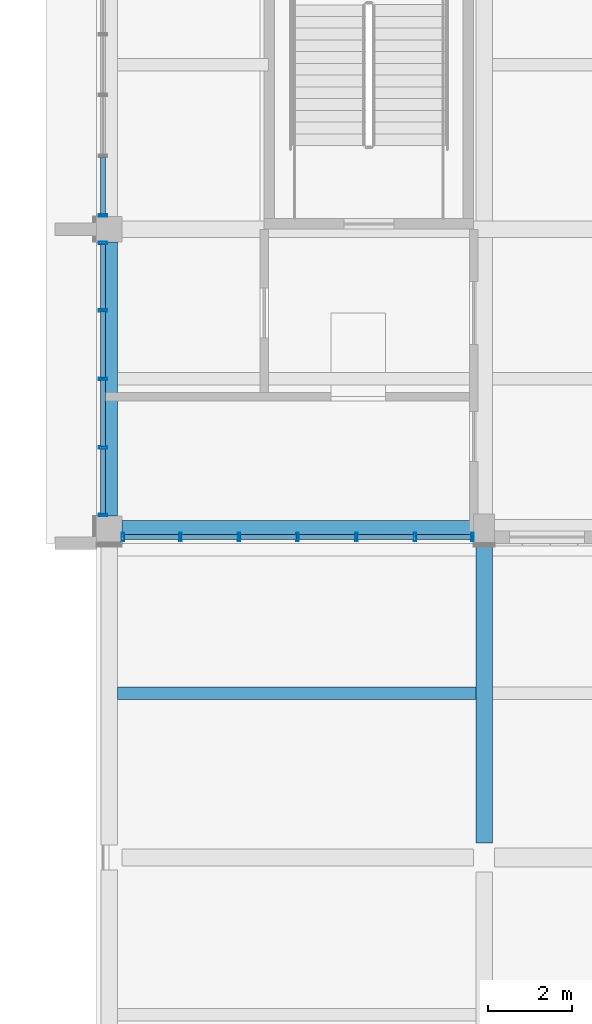
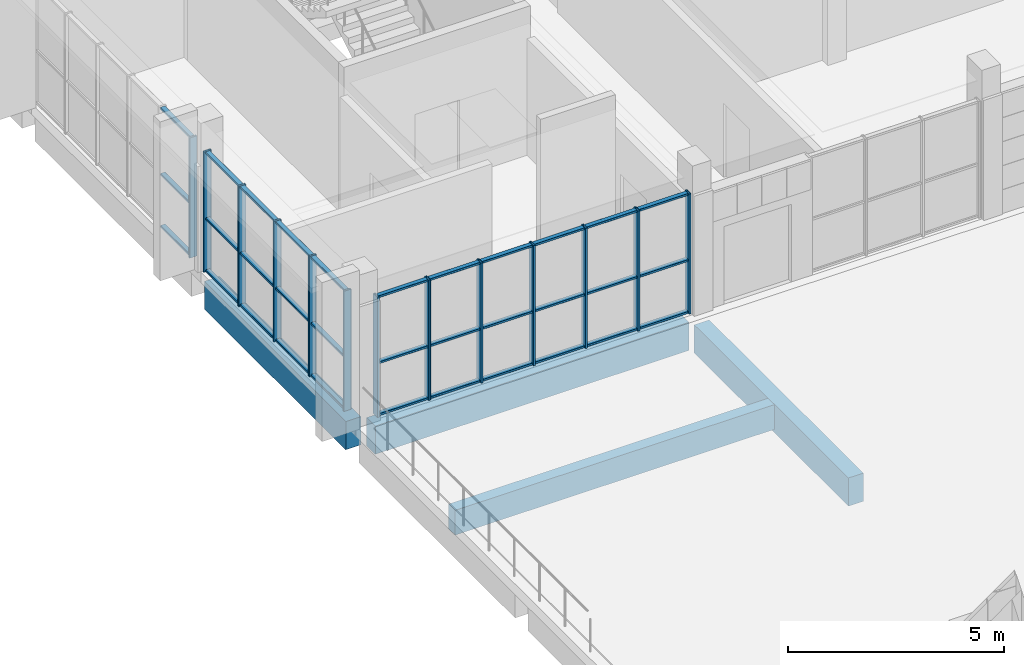
# One storey, part 7 of 42: 46 members, 4 beams, 3 elements without a shape of their own.
"""IFC4 building model written with IfcOpenShell, lengths in metres."""

from ifc_helpers import new_model, si_unit, direction, frame, origin, origin_2d, place, context, subcontext, project, spatial, rectangle, hollow_rectangle, extrude, material, material_profile, profile_set, type_object, element, aggregate, save


model = new_model("IFC4")

# Units and contexts
model_context = context("Model", 3, precision=1e-05, world=origin(), true_north=direction((0.0, 1.0)))
body_context = subcontext(model_context, "Body", "Model", "MODEL_VIEW")
ifc_project = project(units=[si_unit("LENGTHUNIT", "METRE"), si_unit("AREAUNIT", "SQUARE_METRE"), si_unit("VOLUMEUNIT", "CUBIC_METRE"), si_unit("PLANEANGLEUNIT", "RADIAN"), si_unit("MASSUNIT", "GRAM", prefix="KILO")], contexts=[model_context])

# Site, building, storey
site_placement = place(None, origin())
site = spatial("IfcSite", under=ifc_project, at=site_placement, CompositionType="ELEMENT")
building_placement = place(site_placement, origin())
building = spatial("IfcBuilding", under=site, at=building_placement, Name="Sun Court Science Centre", CompositionType="ELEMENT")
storey_placement = place(building_placement, frame((0.0, 0.0, 20.25)))
storey = spatial("IfcBuildingStorey", under=building, at=storey_placement, Name="L04", CompositionType="ELEMENT", Elevation=20.25)

# Curtain wall, members
ifc_material_1 = material(Name="Aluminium EN AW-6063 T6", Category="aluminium")
curtain_wall_type = type_object("IfcCurtainWallType", Name="Laboratory tall bay curtain wall 1500", PredefinedType="NOTDEFINED", material=ifc_material_1)
curtain_wall_1_placement = place(storey_placement, origin())
curtain_wall_1 = element("IfcCurtainWall", 1, at=curtain_wall_1_placement, inside=storey, type_object=curtain_wall_type, Name="Curtain wall V4 W L04 01", PredefinedType="NOTDEFINED")
ifc_material_2 = material(Name="Aluminium EN AW-6063 T6", Category="aluminium")
ifc_material_profile_1 = material_profile(ifc_material_2, hollow_rectangle(XDim=0.06005859375, YDim=0.199951171875, WallThickness=0.0048828125, InnerFilletRadius=0.0048828125, OuterFilletRadius=0.007568359375, at=origin_2d()), Name="AL 60x200x5")
ifc_profile_set_1 = profile_set([ifc_material_profile_1], Name="Aluminium EN AW-6063 T6")
member_type_1 = type_object("IfcMemberType", Name="Curtain wall mullion AL 60x200", PredefinedType="MULLION", material=ifc_profile_set_1)
member_1_placement = place(storey_placement, frame((78.14990234375, 29.179931640625, 0.0), z_axis=(0.0, 0.0, 1.0), x_axis=(0.0, 1.0, 0.0)))
member_1 = element("IfcMember", 2, at=member_1_placement, type_object=member_type_1, Name="CW2-37 mullion 1", PredefinedType="MULLION", context=body_context, shape_type="SweptSolid", body=[
    extrude(hollow_rectangle(XDim=0.06005859375, YDim=0.199951171875, WallThickness=0.0048828125, InnerFilletRadius=0.0048828125, OuterFilletRadius=0.007568359375, at=origin_2d()), origin(), (0.0, 0.0, 1.0), 3.39990234375),
])
member_2_placement = place(storey_placement, frame((78.14990234375, 30.78759765625, 0.0), z_axis=(0.0, 0.0, 1.0), x_axis=(0.0, 1.0, 0.0)))
member_2 = element("IfcMember", 3, at=member_2_placement, type_object=member_type_1, Name="CW2-37 mullion 2", PredefinedType="MULLION", context=body_context, shape_type="SweptSolid", body=[
    extrude(hollow_rectangle(XDim=0.06005859375, YDim=0.199951171875, WallThickness=0.0048828125, InnerFilletRadius=0.0048828125, OuterFilletRadius=0.007568359375, at=origin_2d()), origin(), (0.0, 0.0, 1.0), 3.39990234375),
])
member_3_placement = place(storey_placement, frame((78.14990234375, 32.425048828125, 0.0), z_axis=(0.0, 0.0, 1.0), x_axis=(0.0, 1.0, 0.0)))
member_3 = element("IfcMember", 4, at=member_3_placement, type_object=member_type_1, Name="CW2-37 mullion 3", PredefinedType="MULLION", context=body_context, shape_type="SweptSolid", body=[
    extrude(hollow_rectangle(XDim=0.06005859375, YDim=0.199951171875, WallThickness=0.0048828125, InnerFilletRadius=0.0048828125, OuterFilletRadius=0.007568359375, at=origin_2d()), origin(), (0.0, 0.0, 1.0), 3.39990234375),
])
member_4_placement = place(storey_placement, frame((78.14990234375, 34.0625, 0.0), z_axis=(0.0, 0.0, 1.0), x_axis=(0.0, 1.0, 0.0)))
member_4 = element("IfcMember", 5, at=member_4_placement, type_object=member_type_1, Name="CW2-37 mullion 4", PredefinedType="MULLION", context=body_context, shape_type="SweptSolid", body=[
    extrude(hollow_rectangle(XDim=0.06005859375, YDim=0.199951171875, WallThickness=0.0048828125, InnerFilletRadius=0.0048828125, OuterFilletRadius=0.007568359375, at=origin_2d()), origin(), (0.0, 0.0, 1.0), 3.39990234375),
])
member_5_placement = place(storey_placement, frame((78.14990234375, 35.669921875, 0.0), z_axis=(0.0, 0.0, 1.0), x_axis=(0.0, 1.0, 0.0)))
member_5 = element("IfcMember", 6, at=member_5_placement, type_object=member_type_1, Name="CW2-37 mullion 5", PredefinedType="MULLION", context=body_context, shape_type="SweptSolid", body=[
    extrude(hollow_rectangle(XDim=0.06005859375, YDim=0.199951171875, WallThickness=0.0048828125, InnerFilletRadius=0.0048828125, OuterFilletRadius=0.007568359375, at=origin_2d()), origin(), (0.0, 0.0, 1.0), 3.39990234375),
])

# Curtain wall, member
curtain_wall_2_placement = place(storey_placement, origin())
curtain_wall_2 = element("IfcCurtainWall", 7, at=curtain_wall_2_placement, inside=storey, type_object=curtain_wall_type, Name="Curtain wall V4 W L04 02", PredefinedType="NOTDEFINED")
member_6_placement = place(storey_placement, frame((78.14990234375, 36.330078125, 0.0), z_axis=(0.0, 0.0, 1.0), x_axis=(0.0, 1.0, 0.0)))
member_6 = element("IfcMember", 8, at=member_6_placement, type_object=member_type_1, Name="CW2-38 mullion 1", PredefinedType="MULLION", context=body_context, shape_type="SweptSolid", body=[
    extrude(hollow_rectangle(XDim=0.06005859375, YDim=0.199951171875, WallThickness=0.0048828125, InnerFilletRadius=0.0048828125, OuterFilletRadius=0.007568359375, at=origin_2d()), origin(), (0.0, 0.0, 1.0), 3.39990234375),
])

# Curtain wall, members
curtain_wall_3_placement = place(storey_placement, origin())
curtain_wall_3 = element("IfcCurtainWall", 9, at=curtain_wall_3_placement, inside=storey, type_object=curtain_wall_type, Name="Curtain wall V4 S4 L04 03", PredefinedType="NOTDEFINED")
member_7_placement = place(storey_placement, frame((78.6298828125, 28.64990234375, 0.0), z_axis=(0.0, 0.0, 1.0), x_axis=(-1.0, 0.0, 0.0)))
member_7 = element("IfcMember", 10, at=member_7_placement, type_object=member_type_1, Name="CW2-57 mullion 7", PredefinedType="MULLION", context=body_context, shape_type="SweptSolid", body=[
    extrude(hollow_rectangle(XDim=0.06005859375, YDim=0.199951171875, WallThickness=0.0048828125, InnerFilletRadius=0.0048828125, OuterFilletRadius=0.007568359375, at=origin_2d()), origin(), (0.0, 0.0, 1.0), 3.39990234375),
])
member_8_placement = place(storey_placement, frame((80.0, 28.64990234375, 0.0), z_axis=(0.0, 0.0, 1.0), x_axis=(-1.0, 0.0, 0.0)))
member_8 = element("IfcMember", 11, at=member_8_placement, type_object=member_type_1, Name="CW2-57 mullion 6", PredefinedType="MULLION", context=body_context, shape_type="SweptSolid", body=[
    extrude(hollow_rectangle(XDim=0.06005859375, YDim=0.199951171875, WallThickness=0.0048828125, InnerFilletRadius=0.0048828125, OuterFilletRadius=0.007568359375, at=origin_2d()), origin(), (0.0, 0.0, 1.0), 3.39990234375),
])
member_9_placement = place(storey_placement, frame((81.39990234375, 28.64990234375, 0.0), z_axis=(0.0, 0.0, 1.0), x_axis=(-1.0, 0.0, 0.0)))
member_9 = element("IfcMember", 12, at=member_9_placement, type_object=member_type_1, Name="CW2-57 mullion 5", PredefinedType="MULLION", context=body_context, shape_type="SweptSolid", body=[
    extrude(hollow_rectangle(XDim=0.06005859375, YDim=0.199951171875, WallThickness=0.0048828125, InnerFilletRadius=0.0048828125, OuterFilletRadius=0.007568359375, at=origin_2d()), origin(), (0.0, 0.0, 1.0), 3.39990234375),
])
member_10_placement = place(storey_placement, frame((82.800048828125, 28.64990234375, 0.0), z_axis=(0.0, 0.0, 1.0), x_axis=(-1.0, 0.0, 0.0)))
member_10 = element("IfcMember", 13, at=member_10_placement, type_object=member_type_1, Name="CW2-57 mullion 4", PredefinedType="MULLION", context=body_context, shape_type="SweptSolid", body=[
    extrude(hollow_rectangle(XDim=0.06005859375, YDim=0.199951171875, WallThickness=0.0048828125, InnerFilletRadius=0.0048828125, OuterFilletRadius=0.007568359375, at=origin_2d()), origin(), (0.0, 0.0, 1.0), 3.39990234375),
])
member_11_placement = place(storey_placement, frame((84.199951171875, 28.64990234375, 0.0), z_axis=(0.0, 0.0, 1.0), x_axis=(-1.0, 0.0, 0.0)))
member_11 = element("IfcMember", 14, at=member_11_placement, type_object=member_type_1, Name="CW2-57 mullion 3", PredefinedType="MULLION", context=body_context, shape_type="SweptSolid", body=[
    extrude(hollow_rectangle(XDim=0.06005859375, YDim=0.199951171875, WallThickness=0.0048828125, InnerFilletRadius=0.0048828125, OuterFilletRadius=0.007568359375, at=origin_2d()), origin(), (0.0, 0.0, 1.0), 3.39990234375),
])
member_12_placement = place(storey_placement, frame((85.60009765625, 28.64990234375, 0.0), z_axis=(0.0, 0.0, 1.0), x_axis=(-1.0, 0.0, 0.0)))
member_12 = element("IfcMember", 15, at=member_12_placement, type_object=member_type_1, Name="CW2-57 mullion 2", PredefinedType="MULLION", context=body_context, shape_type="SweptSolid", body=[
    extrude(hollow_rectangle(XDim=0.06005859375, YDim=0.199951171875, WallThickness=0.0048828125, InnerFilletRadius=0.0048828125, OuterFilletRadius=0.007568359375, at=origin_2d()), origin(), (0.0, 0.0, 1.0), 3.39990234375),
])
member_13_placement = place(storey_placement, frame((86.969970703125, 28.64990234375, 0.0), z_axis=(0.0, 0.0, 1.0), x_axis=(-1.0, 0.0, 0.0)))
member_13 = element("IfcMember", 16, at=member_13_placement, type_object=member_type_1, Name="CW2-57 mullion 1", PredefinedType="MULLION", context=body_context, shape_type="SweptSolid", body=[
    extrude(hollow_rectangle(XDim=0.06005859375, YDim=0.199951171875, WallThickness=0.0048828125, InnerFilletRadius=0.0048828125, OuterFilletRadius=0.007568359375, at=origin_2d()), origin(), (0.0, 0.0, 1.0), 3.39990234375),
])

# Member
ifc_material_3 = material(Name="Aluminium EN AW-6063 T6", Category="aluminium")
ifc_material_profile_2 = material_profile(ifc_material_3, hollow_rectangle(XDim=0.06005859375, YDim=0.1201171875, WallThickness=0.00390625, InnerFilletRadius=0.00390625, OuterFilletRadius=0.006103515625, at=origin_2d()), Name="AL 60x120x4")
ifc_profile_set_2 = profile_set([ifc_material_profile_2], Name="Aluminium EN AW-6063 T6")
member_type_2 = type_object("IfcMemberType", Name="Curtain wall transom AL 60x120", PredefinedType="USERDEFINED", material=ifc_profile_set_2)
member_14_placement = place(storey_placement, frame((78.14990234375, 29.2099609375, 0.030029296875), z_axis=(0.0, 1.0, 0.0), x_axis=(0.0, 0.0, 1.0)))
member_14 = element("IfcMember", 17, at=member_14_placement, type_object=member_type_2, Name="CW2-37 transom 1.1", ObjectType="TRANSOM", PredefinedType="USERDEFINED", context=body_context, shape_type="SweptSolid", body=[
    extrude(hollow_rectangle(XDim=0.06005859375, YDim=0.1201171875, WallThickness=0.00390625, InnerFilletRadius=0.00390625, OuterFilletRadius=0.006103515625, at=origin_2d()), origin(), (0.0, 0.0, 1.0), 1.547607421875),
])

member_15_placement = place(storey_placement, frame((78.14990234375, 30.8173828125, 0.030029296875), z_axis=(0.0, 1.0, 0.0), x_axis=(0.0, 0.0, 1.0)))
member_15 = element("IfcMember", 18, at=member_15_placement, type_object=member_type_2, Name="CW2-37 transom 2.1", ObjectType="TRANSOM", PredefinedType="USERDEFINED", context=body_context, shape_type="SweptSolid", body=[
    extrude(hollow_rectangle(XDim=0.06005859375, YDim=0.1201171875, WallThickness=0.00390625, InnerFilletRadius=0.00390625, OuterFilletRadius=0.006103515625, at=origin_2d()), origin(), (0.0, 0.0, 1.0), 1.57763671875),
])

member_16_placement = place(storey_placement, frame((78.14990234375, 32.455078125, 0.030029296875), z_axis=(0.0, 1.0, 0.0), x_axis=(0.0, 0.0, 1.0)))
member_16 = element("IfcMember", 19, at=member_16_placement, type_object=member_type_2, Name="CW2-37 transom 3.1", ObjectType="TRANSOM", PredefinedType="USERDEFINED", context=body_context, shape_type="SweptSolid", body=[
    extrude(hollow_rectangle(XDim=0.06005859375, YDim=0.1201171875, WallThickness=0.00390625, InnerFilletRadius=0.00390625, OuterFilletRadius=0.006103515625, at=origin_2d()), origin(), (0.0, 0.0, 1.0), 1.577392578125),
])

member_17_placement = place(storey_placement, frame((78.14990234375, 34.092529296875, 0.030029296875), z_axis=(0.0, 1.0, 0.0), x_axis=(0.0, 0.0, 1.0)))
member_17 = element("IfcMember", 20, at=member_17_placement, type_object=member_type_2, Name="CW2-37 transom 4.1", ObjectType="TRANSOM", PredefinedType="USERDEFINED", context=body_context, shape_type="SweptSolid", body=[
    extrude(hollow_rectangle(XDim=0.06005859375, YDim=0.1201171875, WallThickness=0.00390625, InnerFilletRadius=0.00390625, OuterFilletRadius=0.006103515625, at=origin_2d()), origin(), (0.0, 0.0, 1.0), 1.54736328125),
])

member_18_placement = place(storey_placement, frame((78.14990234375, 29.2099609375, 1.5), z_axis=(0.0, 1.0, 0.0), x_axis=(0.0, 0.0, 1.0)))
member_18 = element("IfcMember", 21, at=member_18_placement, type_object=member_type_2, Name="CW2-37 transom 1.2", ObjectType="TRANSOM", PredefinedType="USERDEFINED", context=body_context, shape_type="SweptSolid", body=[
    extrude(hollow_rectangle(XDim=0.06005859375, YDim=0.1201171875, WallThickness=0.00390625, InnerFilletRadius=0.00390625, OuterFilletRadius=0.006103515625, at=origin_2d()), origin(), (0.0, 0.0, 1.0), 1.547607421875),
])

member_19_placement = place(storey_placement, frame((78.14990234375, 30.8173828125, 1.5), z_axis=(0.0, 1.0, 0.0), x_axis=(0.0, 0.0, 1.0)))
member_19 = element("IfcMember", 22, at=member_19_placement, type_object=member_type_2, Name="CW2-37 transom 2.2", ObjectType="TRANSOM", PredefinedType="USERDEFINED", context=body_context, shape_type="SweptSolid", body=[
    extrude(hollow_rectangle(XDim=0.06005859375, YDim=0.1201171875, WallThickness=0.00390625, InnerFilletRadius=0.00390625, OuterFilletRadius=0.006103515625, at=origin_2d()), origin(), (0.0, 0.0, 1.0), 1.57763671875),
])

member_20_placement = place(storey_placement, frame((78.14990234375, 32.455078125, 1.5), z_axis=(0.0, 1.0, 0.0), x_axis=(0.0, 0.0, 1.0)))
member_20 = element("IfcMember", 23, at=member_20_placement, type_object=member_type_2, Name="CW2-37 transom 3.2", ObjectType="TRANSOM", PredefinedType="USERDEFINED", context=body_context, shape_type="SweptSolid", body=[
    extrude(hollow_rectangle(XDim=0.06005859375, YDim=0.1201171875, WallThickness=0.00390625, InnerFilletRadius=0.00390625, OuterFilletRadius=0.006103515625, at=origin_2d()), origin(), (0.0, 0.0, 1.0), 1.577392578125),
])

member_21_placement = place(storey_placement, frame((78.14990234375, 34.092529296875, 1.5), z_axis=(0.0, 1.0, 0.0), x_axis=(0.0, 0.0, 1.0)))
member_21 = element("IfcMember", 24, at=member_21_placement, type_object=member_type_2, Name="CW2-37 transom 4.2", ObjectType="TRANSOM", PredefinedType="USERDEFINED", context=body_context, shape_type="SweptSolid", body=[
    extrude(hollow_rectangle(XDim=0.06005859375, YDim=0.1201171875, WallThickness=0.00390625, InnerFilletRadius=0.00390625, OuterFilletRadius=0.006103515625, at=origin_2d()), origin(), (0.0, 0.0, 1.0), 1.54736328125),
])

member_22_placement = place(storey_placement, frame((78.14990234375, 29.2099609375, 3.3701171875), z_axis=(0.0, 1.0, 0.0), x_axis=(0.0, 0.0, 1.0)))
member_22 = element("IfcMember", 25, at=member_22_placement, type_object=member_type_2, Name="CW2-37 transom 1.3", ObjectType="TRANSOM", PredefinedType="USERDEFINED", context=body_context, shape_type="SweptSolid", body=[
    extrude(hollow_rectangle(XDim=0.06005859375, YDim=0.1201171875, WallThickness=0.00390625, InnerFilletRadius=0.00390625, OuterFilletRadius=0.006103515625, at=origin_2d()), origin(), (0.0, 0.0, 1.0), 1.547607421875),
])

member_23_placement = place(storey_placement, frame((78.14990234375, 30.8173828125, 3.3701171875), z_axis=(0.0, 1.0, 0.0), x_axis=(0.0, 0.0, 1.0)))
member_23 = element("IfcMember", 26, at=member_23_placement, type_object=member_type_2, Name="CW2-37 transom 2.3", ObjectType="TRANSOM", PredefinedType="USERDEFINED", context=body_context, shape_type="SweptSolid", body=[
    extrude(hollow_rectangle(XDim=0.06005859375, YDim=0.1201171875, WallThickness=0.00390625, InnerFilletRadius=0.00390625, OuterFilletRadius=0.006103515625, at=origin_2d()), origin(), (0.0, 0.0, 1.0), 1.57763671875),
])

member_24_placement = place(storey_placement, frame((78.14990234375, 32.455078125, 3.3701171875), z_axis=(0.0, 1.0, 0.0), x_axis=(0.0, 0.0, 1.0)))
member_24 = element("IfcMember", 27, at=member_24_placement, type_object=member_type_2, Name="CW2-37 transom 3.3", ObjectType="TRANSOM", PredefinedType="USERDEFINED", context=body_context, shape_type="SweptSolid", body=[
    extrude(hollow_rectangle(XDim=0.06005859375, YDim=0.1201171875, WallThickness=0.00390625, InnerFilletRadius=0.00390625, OuterFilletRadius=0.006103515625, at=origin_2d()), origin(), (0.0, 0.0, 1.0), 1.577392578125),
])

member_25_placement = place(storey_placement, frame((78.14990234375, 34.092529296875, 3.3701171875), z_axis=(0.0, 1.0, 0.0), x_axis=(0.0, 0.0, 1.0)))
member_25 = element("IfcMember", 28, at=member_25_placement, type_object=member_type_2, Name="CW2-37 transom 4.3", ObjectType="TRANSOM", PredefinedType="USERDEFINED", context=body_context, shape_type="SweptSolid", body=[
    extrude(hollow_rectangle(XDim=0.06005859375, YDim=0.1201171875, WallThickness=0.00390625, InnerFilletRadius=0.00390625, OuterFilletRadius=0.006103515625, at=origin_2d()), origin(), (0.0, 0.0, 1.0), 1.54736328125),
])

aggregate(curtain_wall_1, [member_1, member_2, member_3, member_4, member_5, member_14, member_15, member_16, member_17, member_18, member_19, member_20, member_21, member_22, member_23, member_24, member_25])

member_26_placement = place(storey_placement, frame((78.14990234375, 36.360107421875, 0.030029296875), z_axis=(0.0, 1.0, 0.0), x_axis=(0.0, 0.0, 1.0)))
member_26 = element("IfcMember", 29, at=member_26_placement, type_object=member_type_2, Name="CW2-38 transom 1.1", ObjectType="TRANSOM", PredefinedType="USERDEFINED", context=body_context, shape_type="SweptSolid", body=[
    extrude(hollow_rectangle(XDim=0.06005859375, YDim=0.1201171875, WallThickness=0.00390625, InnerFilletRadius=0.00390625, OuterFilletRadius=0.006103515625, at=origin_2d()), origin(), (0.0, 0.0, 1.0), 1.35986328125),
])

member_27_placement = place(storey_placement, frame((78.14990234375, 36.360107421875, 1.5), z_axis=(0.0, 1.0, 0.0), x_axis=(0.0, 0.0, 1.0)))
member_27 = element("IfcMember", 30, at=member_27_placement, type_object=member_type_2, Name="CW2-38 transom 1.2", ObjectType="TRANSOM", PredefinedType="USERDEFINED", context=body_context, shape_type="SweptSolid", body=[
    extrude(hollow_rectangle(XDim=0.06005859375, YDim=0.1201171875, WallThickness=0.00390625, InnerFilletRadius=0.00390625, OuterFilletRadius=0.006103515625, at=origin_2d()), origin(), (0.0, 0.0, 1.0), 1.35986328125),
])

member_28_placement = place(storey_placement, frame((78.14990234375, 36.360107421875, 3.3701171875), z_axis=(0.0, 1.0, 0.0), x_axis=(0.0, 0.0, 1.0)))
member_28 = element("IfcMember", 31, at=member_28_placement, type_object=member_type_2, Name="CW2-38 transom 1.3", ObjectType="TRANSOM", PredefinedType="USERDEFINED", context=body_context, shape_type="SweptSolid", body=[
    extrude(hollow_rectangle(XDim=0.06005859375, YDim=0.1201171875, WallThickness=0.00390625, InnerFilletRadius=0.00390625, OuterFilletRadius=0.006103515625, at=origin_2d()), origin(), (0.0, 0.0, 1.0), 1.35986328125),
])

aggregate(curtain_wall_2, [member_6, member_26, member_27, member_28])

member_29_placement = place(storey_placement, frame((79.969970703125, 28.64990234375, 0.030029296875), z_axis=(-1.0, 0.0, 0.0), x_axis=(0.0, 0.0, 1.0)))
member_29 = element("IfcMember", 32, at=member_29_placement, type_object=member_type_2, Name="CW2-57 transom 6.1", ObjectType="TRANSOM", PredefinedType="USERDEFINED", context=body_context, shape_type="SweptSolid", body=[
    extrude(hollow_rectangle(XDim=0.06005859375, YDim=0.1201171875, WallThickness=0.00390625, InnerFilletRadius=0.00390625, OuterFilletRadius=0.006103515625, at=origin_2d()), origin(), (0.0, 0.0, 1.0), 1.31005859375),
])

member_30_placement = place(storey_placement, frame((81.3701171875, 28.64990234375, 0.030029296875), z_axis=(-1.0, 0.0, 0.0), x_axis=(0.0, 0.0, 1.0)))
member_30 = element("IfcMember", 33, at=member_30_placement, type_object=member_type_2, Name="CW2-57 transom 5.1", ObjectType="TRANSOM", PredefinedType="USERDEFINED", context=body_context, shape_type="SweptSolid", body=[
    extrude(hollow_rectangle(XDim=0.06005859375, YDim=0.1201171875, WallThickness=0.00390625, InnerFilletRadius=0.00390625, OuterFilletRadius=0.006103515625, at=origin_2d()), origin(), (0.0, 0.0, 1.0), 1.340087890625),
])

member_31_placement = place(storey_placement, frame((82.77001953125, 28.64990234375, 0.030029296875), z_axis=(-1.0, 0.0, 0.0), x_axis=(0.0, 0.0, 1.0)))
member_31 = element("IfcMember", 34, at=member_31_placement, type_object=member_type_2, Name="CW2-57 transom 4.1", ObjectType="TRANSOM", PredefinedType="USERDEFINED", context=body_context, shape_type="SweptSolid", body=[
    extrude(hollow_rectangle(XDim=0.06005859375, YDim=0.1201171875, WallThickness=0.00390625, InnerFilletRadius=0.00390625, OuterFilletRadius=0.006103515625, at=origin_2d()), origin(), (0.0, 0.0, 1.0), 1.340087890625),
])

member_32_placement = place(storey_placement, frame((84.169921875, 28.64990234375, 0.030029296875), z_axis=(-1.0, 0.0, 0.0), x_axis=(0.0, 0.0, 1.0)))
member_32 = element("IfcMember", 35, at=member_32_placement, type_object=member_type_2, Name="CW2-57 transom 3.1", ObjectType="TRANSOM", PredefinedType="USERDEFINED", context=body_context, shape_type="SweptSolid", body=[
    extrude(hollow_rectangle(XDim=0.06005859375, YDim=0.1201171875, WallThickness=0.00390625, InnerFilletRadius=0.00390625, OuterFilletRadius=0.006103515625, at=origin_2d()), origin(), (0.0, 0.0, 1.0), 1.33984375),
])

member_33_placement = place(storey_placement, frame((85.570068359375, 28.64990234375, 0.030029296875), z_axis=(-1.0, 0.0, 0.0), x_axis=(0.0, 0.0, 1.0)))
member_33 = element("IfcMember", 36, at=member_33_placement, type_object=member_type_2, Name="CW2-57 transom 2.1", ObjectType="TRANSOM", PredefinedType="USERDEFINED", context=body_context, shape_type="SweptSolid", body=[
    extrude(hollow_rectangle(XDim=0.06005859375, YDim=0.1201171875, WallThickness=0.00390625, InnerFilletRadius=0.00390625, OuterFilletRadius=0.006103515625, at=origin_2d()), origin(), (0.0, 0.0, 1.0), 1.340087890625),
])

member_34_placement = place(storey_placement, frame((86.93994140625, 28.64990234375, 0.030029296875), z_axis=(-1.0, 0.0, 0.0), x_axis=(0.0, 0.0, 1.0)))
member_34 = element("IfcMember", 37, at=member_34_placement, type_object=member_type_2, Name="CW2-57 transom 1.1", ObjectType="TRANSOM", PredefinedType="USERDEFINED", context=body_context, shape_type="SweptSolid", body=[
    extrude(hollow_rectangle(XDim=0.06005859375, YDim=0.1201171875, WallThickness=0.00390625, InnerFilletRadius=0.00390625, OuterFilletRadius=0.006103515625, at=origin_2d()), origin(), (0.0, 0.0, 1.0), 1.31005859375),
])

member_35_placement = place(storey_placement, frame((79.969970703125, 28.64990234375, 1.5), z_axis=(-1.0, 0.0, 0.0), x_axis=(0.0, 0.0, 1.0)))
member_35 = element("IfcMember", 38, at=member_35_placement, type_object=member_type_2, Name="CW2-57 transom 6.2", ObjectType="TRANSOM", PredefinedType="USERDEFINED", context=body_context, shape_type="SweptSolid", body=[
    extrude(hollow_rectangle(XDim=0.06005859375, YDim=0.1201171875, WallThickness=0.00390625, InnerFilletRadius=0.00390625, OuterFilletRadius=0.006103515625, at=origin_2d()), origin(), (0.0, 0.0, 1.0), 1.31005859375),
])

member_36_placement = place(storey_placement, frame((81.3701171875, 28.64990234375, 1.5), z_axis=(-1.0, 0.0, 0.0), x_axis=(0.0, 0.0, 1.0)))
member_36 = element("IfcMember", 39, at=member_36_placement, type_object=member_type_2, Name="CW2-57 transom 5.2", ObjectType="TRANSOM", PredefinedType="USERDEFINED", context=body_context, shape_type="SweptSolid", body=[
    extrude(hollow_rectangle(XDim=0.06005859375, YDim=0.1201171875, WallThickness=0.00390625, InnerFilletRadius=0.00390625, OuterFilletRadius=0.006103515625, at=origin_2d()), origin(), (0.0, 0.0, 1.0), 1.340087890625),
])

member_37_placement = place(storey_placement, frame((82.77001953125, 28.64990234375, 1.5), z_axis=(-1.0, 0.0, 0.0), x_axis=(0.0, 0.0, 1.0)))
member_37 = element("IfcMember", 40, at=member_37_placement, type_object=member_type_2, Name="CW2-57 transom 4.2", ObjectType="TRANSOM", PredefinedType="USERDEFINED", context=body_context, shape_type="SweptSolid", body=[
    extrude(hollow_rectangle(XDim=0.06005859375, YDim=0.1201171875, WallThickness=0.00390625, InnerFilletRadius=0.00390625, OuterFilletRadius=0.006103515625, at=origin_2d()), origin(), (0.0, 0.0, 1.0), 1.340087890625),
])

member_38_placement = place(storey_placement, frame((84.169921875, 28.64990234375, 1.5), z_axis=(-1.0, 0.0, 0.0), x_axis=(0.0, 0.0, 1.0)))
member_38 = element("IfcMember", 41, at=member_38_placement, type_object=member_type_2, Name="CW2-57 transom 3.2", ObjectType="TRANSOM", PredefinedType="USERDEFINED", context=body_context, shape_type="SweptSolid", body=[
    extrude(hollow_rectangle(XDim=0.06005859375, YDim=0.1201171875, WallThickness=0.00390625, InnerFilletRadius=0.00390625, OuterFilletRadius=0.006103515625, at=origin_2d()), origin(), (0.0, 0.0, 1.0), 1.33984375),
])

member_39_placement = place(storey_placement, frame((85.570068359375, 28.64990234375, 1.5), z_axis=(-1.0, 0.0, 0.0), x_axis=(0.0, 0.0, 1.0)))
member_39 = element("IfcMember", 42, at=member_39_placement, type_object=member_type_2, Name="CW2-57 transom 2.2", ObjectType="TRANSOM", PredefinedType="USERDEFINED", context=body_context, shape_type="SweptSolid", body=[
    extrude(hollow_rectangle(XDim=0.06005859375, YDim=0.1201171875, WallThickness=0.00390625, InnerFilletRadius=0.00390625, OuterFilletRadius=0.006103515625, at=origin_2d()), origin(), (0.0, 0.0, 1.0), 1.340087890625),
])

member_40_placement = place(storey_placement, frame((86.93994140625, 28.64990234375, 1.5), z_axis=(-1.0, 0.0, 0.0), x_axis=(0.0, 0.0, 1.0)))
member_40 = element("IfcMember", 43, at=member_40_placement, type_object=member_type_2, Name="CW2-57 transom 1.2", ObjectType="TRANSOM", PredefinedType="USERDEFINED", context=body_context, shape_type="SweptSolid", body=[
    extrude(hollow_rectangle(XDim=0.06005859375, YDim=0.1201171875, WallThickness=0.00390625, InnerFilletRadius=0.00390625, OuterFilletRadius=0.006103515625, at=origin_2d()), origin(), (0.0, 0.0, 1.0), 1.31005859375),
])

member_41_placement = place(storey_placement, frame((79.969970703125, 28.64990234375, 3.3701171875), z_axis=(-1.0, 0.0, 0.0), x_axis=(0.0, 0.0, 1.0)))
member_41 = element("IfcMember", 44, at=member_41_placement, type_object=member_type_2, Name="CW2-57 transom 6.3", ObjectType="TRANSOM", PredefinedType="USERDEFINED", context=body_context, shape_type="SweptSolid", body=[
    extrude(hollow_rectangle(XDim=0.06005859375, YDim=0.1201171875, WallThickness=0.00390625, InnerFilletRadius=0.00390625, OuterFilletRadius=0.006103515625, at=origin_2d()), origin(), (0.0, 0.0, 1.0), 1.31005859375),
])

member_42_placement = place(storey_placement, frame((81.3701171875, 28.64990234375, 3.3701171875), z_axis=(-1.0, 0.0, 0.0), x_axis=(0.0, 0.0, 1.0)))
member_42 = element("IfcMember", 45, at=member_42_placement, type_object=member_type_2, Name="CW2-57 transom 5.3", ObjectType="TRANSOM", PredefinedType="USERDEFINED", context=body_context, shape_type="SweptSolid", body=[
    extrude(hollow_rectangle(XDim=0.06005859375, YDim=0.1201171875, WallThickness=0.00390625, InnerFilletRadius=0.00390625, OuterFilletRadius=0.006103515625, at=origin_2d()), origin(), (0.0, 0.0, 1.0), 1.340087890625),
])

member_43_placement = place(storey_placement, frame((82.77001953125, 28.64990234375, 3.3701171875), z_axis=(-1.0, 0.0, 0.0), x_axis=(0.0, 0.0, 1.0)))
member_43 = element("IfcMember", 46, at=member_43_placement, type_object=member_type_2, Name="CW2-57 transom 4.3", ObjectType="TRANSOM", PredefinedType="USERDEFINED", context=body_context, shape_type="SweptSolid", body=[
    extrude(hollow_rectangle(XDim=0.06005859375, YDim=0.1201171875, WallThickness=0.00390625, InnerFilletRadius=0.00390625, OuterFilletRadius=0.006103515625, at=origin_2d()), origin(), (0.0, 0.0, 1.0), 1.340087890625),
])

member_44_placement = place(storey_placement, frame((84.169921875, 28.64990234375, 3.3701171875), z_axis=(-1.0, 0.0, 0.0), x_axis=(0.0, 0.0, 1.0)))
member_44 = element("IfcMember", 47, at=member_44_placement, type_object=member_type_2, Name="CW2-57 transom 3.3", ObjectType="TRANSOM", PredefinedType="USERDEFINED", context=body_context, shape_type="SweptSolid", body=[
    extrude(hollow_rectangle(XDim=0.06005859375, YDim=0.1201171875, WallThickness=0.00390625, InnerFilletRadius=0.00390625, OuterFilletRadius=0.006103515625, at=origin_2d()), origin(), (0.0, 0.0, 1.0), 1.33984375),
])

member_45_placement = place(storey_placement, frame((85.570068359375, 28.64990234375, 3.3701171875), z_axis=(-1.0, 0.0, 0.0), x_axis=(0.0, 0.0, 1.0)))
member_45 = element("IfcMember", 48, at=member_45_placement, type_object=member_type_2, Name="CW2-57 transom 2.3", ObjectType="TRANSOM", PredefinedType="USERDEFINED", context=body_context, shape_type="SweptSolid", body=[
    extrude(hollow_rectangle(XDim=0.06005859375, YDim=0.1201171875, WallThickness=0.00390625, InnerFilletRadius=0.00390625, OuterFilletRadius=0.006103515625, at=origin_2d()), origin(), (0.0, 0.0, 1.0), 1.340087890625),
])

member_46_placement = place(storey_placement, frame((86.93994140625, 28.64990234375, 3.3701171875), z_axis=(-1.0, 0.0, 0.0), x_axis=(0.0, 0.0, 1.0)))
member_46 = element("IfcMember", 49, at=member_46_placement, type_object=member_type_2, Name="CW2-57 transom 1.3", ObjectType="TRANSOM", PredefinedType="USERDEFINED", context=body_context, shape_type="SweptSolid", body=[
    extrude(hollow_rectangle(XDim=0.06005859375, YDim=0.1201171875, WallThickness=0.00390625, InnerFilletRadius=0.00390625, OuterFilletRadius=0.006103515625, at=origin_2d()), origin(), (0.0, 0.0, 1.0), 1.31005859375),
])

aggregate(curtain_wall_3, [member_7, member_8, member_9, member_10, member_11, member_12, member_13, member_29, member_30, member_31, member_32, member_33, member_34, member_35, member_36, member_37, member_38, member_39, member_40, member_41, member_42, member_43, member_44, member_45, member_46])

# Beams
ifc_material_4 = material(Name="Concrete C25/30", Category="concrete")
ifc_material_profile_3 = material_profile(ifc_material_4, rectangle(XDim=0.39990234375, YDim=0.800048828125, at=origin_2d()), Name="RC 400x800")
ifc_profile_set_3 = profile_set([ifc_material_profile_3], Name="Concrete C25/30")
beam_type_1 = type_object("IfcBeamType", Name="RC girder 400x800", PredefinedType="BEAM", material=ifc_profile_set_3)
beam_1_placement = place(storey_placement, frame((78.60009765625, 28.85009765625, -0.699951171875), z_axis=(1.0, 0.0, 0.0), x_axis=(0.0, 1.0, 0.0)))
element("IfcBeam", 50, at=beam_1_placement, inside=storey, type_object=beam_type_1, Name="Girder L04 row 4", PredefinedType="BEAM", context=body_context, shape_type="SweptSolid", body=[
    extrude(rectangle(XDim=0.39990234375, YDim=0.800048828125, at=origin_2d()), origin(), (0.0, 0.0, 1.0), 8.39990234375),
])
beam_2_placement = place(storey_placement, frame((78.300048828125, 29.14990234375, -0.699951171875), z_axis=(0.0, 1.0, 0.0), x_axis=(-1.0, 0.0, 0.0)))
element("IfcBeam", 51, at=beam_2_placement, inside=storey, type_object=beam_type_1, Name="Girder L04 line 1", PredefinedType="BEAM", context=body_context, shape_type="SweptSolid", body=[
    extrude(rectangle(XDim=0.39990234375, YDim=0.800048828125, at=origin_2d()), origin(), (0.0, 0.0, 1.0), 6.550048828125),
])
beam_3_placement = place(storey_placement, frame((87.25, 21.35009765625, -0.699951171875), z_axis=(0.0, 1.0, 0.0), x_axis=(-1.0, 0.0, 0.0)))
element("IfcBeam", 52, at=beam_3_placement, inside=storey, type_object=beam_type_1, Name="Girder L04 line 2", PredefinedType="BEAM", context=body_context, shape_type="SweptSolid", body=[
    extrude(rectangle(XDim=0.39990234375, YDim=0.800048828125, at=origin_2d()), origin(), (0.0, 0.0, 1.0), 7.14990234375),
])
ifc_material_5 = material(Name="Concrete C25/30", Category="concrete")
ifc_material_profile_4 = material_profile(ifc_material_5, rectangle(XDim=0.300048828125, YDim=0.699951171875, at=origin_2d()), Name="RC 300x700")
ifc_profile_set_4 = profile_set([ifc_material_profile_4], Name="Concrete C25/30")
beam_type_2 = type_object("IfcBeamType", Name="RC joist 300x700", PredefinedType="JOIST", material=ifc_profile_set_4)
beam_4_placement = place(storey_placement, frame((78.5, 24.925048828125, -0.64990234375), z_axis=(1.0, 0.0, 0.0), x_axis=(0.0, 1.0, 0.0)))
element("IfcBeam", 53, at=beam_4_placement, inside=storey, type_object=beam_type_2, Name="Joist L04", PredefinedType="JOIST", context=body_context, shape_type="SweptSolid", body=[
    extrude(rectangle(XDim=0.300048828125, YDim=0.699951171875, at=origin_2d()), origin(), (0.0, 0.0, 1.0), 8.550048828125),
])

save(model, "model.ifc")
